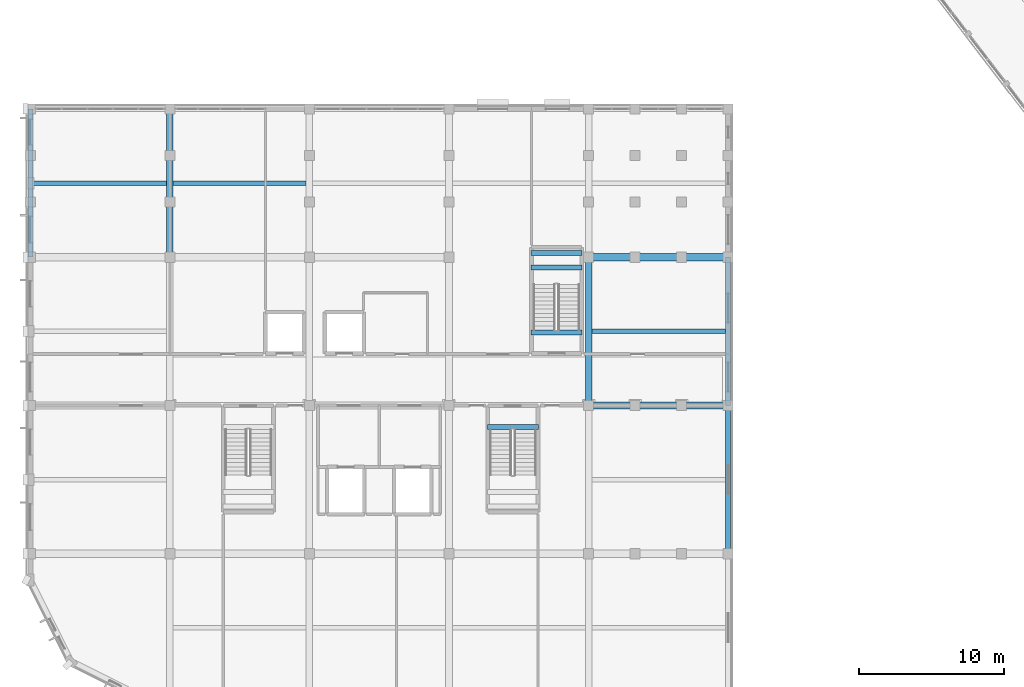
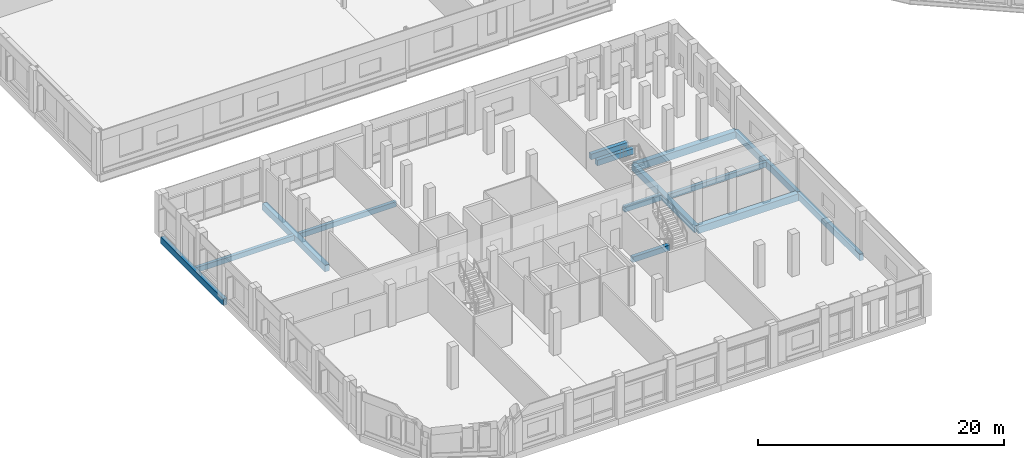
# One storey, part 29 of 185: 14 beams.
"""IFC4 building model written with IfcOpenShell, lengths in metres."""

from ifc_helpers import new_model, si_unit, direction, frame, origin, origin_2d, place, context, subcontext, project, spatial, rectangle, extrude, material, material_profile, profile_set, type_object, element, save


model = new_model("IFC4")

# Units and contexts
model_context = context("Model", 3, precision=1e-05, world=origin(), true_north=direction((0.0, 1.0)))
body_context = subcontext(model_context, "Body", "Model", "MODEL_VIEW")
ifc_project = project(units=[si_unit("LENGTHUNIT", "METRE"), si_unit("AREAUNIT", "SQUARE_METRE"), si_unit("VOLUMEUNIT", "CUBIC_METRE"), si_unit("PLANEANGLEUNIT", "RADIAN"), si_unit("MASSUNIT", "GRAM", prefix="KILO")], contexts=[model_context])

# Site, building, storey
site_placement = place(None, origin())
site = spatial("IfcSite", under=ifc_project, at=site_placement, CompositionType="ELEMENT")
building_placement = place(site_placement, origin())
building = spatial("IfcBuilding", under=site, at=building_placement, Name="Vondelvale Polytechnic", CompositionType="ELEMENT")
storey_placement = place(building_placement, frame((0.0, 0.0, 9.60009765625)))
storey = spatial("IfcBuildingStorey", under=building, at=storey_placement, Name="L02", CompositionType="ELEMENT", Elevation=9.60009765625)

# Beams
ifc_material_1 = material(Name="Concrete N40 (f'c = 40 MPa)", Category="concrete")
ifc_material_profile_1 = material_profile(ifc_material_1, rectangle(XDim=0.35009765625, YDim=0.550048828125, at=origin_2d()), Name="RC-BM-350x550")
ifc_profile_set_1 = profile_set([ifc_material_profile_1], Name="Concrete N40 (f'c = 40 MPa)")
beam_type_1 = type_object("IfcBeamType", Name="BM-RC350x550", PredefinedType="BEAM", material=ifc_profile_set_1)
for number, where, z_axis, x_axis, name in (
    (1, (31.449951171875, 18.925048828125, -0.275146484375), (1.0, 0.0, 0.0), (0.0, 1.0, 0.0), "L02 STHD B-06"),
    (2, (37.949951171875, 29.89990234375, 1.625), (-1.0, 0.0, 0.0), (0.0, -1.0, 0.0), "L02 STLD B-06"),
    (3, (37.949951171875, 30.89990234375, 1.625), (-1.0, 0.0, 0.0), (0.0, -1.0, 0.0), "L02 STLD B-06"),
    (4, (37.949951171875, 25.425048828125, -0.275146484375), (-1.0, 0.0, 0.0), (0.0, -1.0, 0.0), "L02 STHD B-06"),
):
    element("IfcBeam", number, at=place(storey_placement, frame(where, z_axis=z_axis, x_axis=x_axis)), inside=storey, type_object=beam_type_1, Name=name, PredefinedType="BEAM", context=body_context, shape_type="SweptSolid", body=[
        extrude(rectangle(XDim=0.35009765625, YDim=0.550048828125, at=origin_2d()), origin(), (0.0, 0.0, 1.0), 3.5),
    ])
ifc_material_profile_2 = material_profile(ifc_material_1, rectangle(XDim=0.449951171875, YDim=0.64990234375, at=origin_2d()), Name="RC-BM-450x650")
ifc_profile_set_2 = profile_set([ifc_material_profile_2], Name="Concrete N40 (f'c = 40 MPa)")
beam_type_2 = type_object("IfcBeamType", Name="BM-RC450x650", PredefinedType="BEAM", material=ifc_profile_set_2)
beam_1_placement = place(storey_placement, frame((9.60009765625, 30.60009765625, -0.60498046875), z_axis=(0.0, 1.0, 0.0), x_axis=(-1.0, 0.0, 0.0)))
element("IfcBeam", 5, at=beam_1_placement, inside=storey, type_object=beam_type_2, Name="L02 B B-04", PredefinedType="BEAM", context=body_context, shape_type="SweptSolid", body=[
    extrude(rectangle(XDim=0.449951171875, YDim=0.64990234375, at=origin_2d()), origin(), (0.0, 0.0, 1.0), 10.199951171875),
])
beam_2_placement = place(storey_placement, frame((38.39990234375, 20.39990234375, -0.60498046875), z_axis=(0.0, 1.0, 0.0), x_axis=(-1.0, 0.0, 0.0)))
element("IfcBeam", 6, at=beam_2_placement, inside=storey, type_object=beam_type_2, Name="L02 B B-04", PredefinedType="BEAM", context=body_context, shape_type="SweptSolid", body=[
    extrude(rectangle(XDim=0.449951171875, YDim=0.64990234375, at=origin_2d()), origin(), (0.0, 0.0, 1.0), 10.2001953125),
])
ifc_material_profile_3 = material_profile(ifc_material_1, rectangle(XDim=0.5, YDim=0.699951171875, at=origin_2d()), Name="RC-BM-500x700")
ifc_profile_set_3 = profile_set([ifc_material_profile_3], Name="Concrete N40 (f'c = 40 MPa)")
beam_type_3 = type_object("IfcBeamType", Name="BM-RC500x700", PredefinedType="BEAM", material=ifc_profile_set_3)
for number, where, z_axis, x_axis, name in (
    (7, (38.39990234375, 20.39990234375, -0.630126953125), (1.0, 0.0, 0.0), (0.0, 1.0, 0.0), "L02 B B-03"),
    (8, (38.39990234375, 30.60009765625, -0.630126953125), (1.0, 0.0, 0.0), (0.0, 1.0, 0.0), "L02 B B-03"),
):
    element("IfcBeam", number, at=place(storey_placement, frame(where, z_axis=z_axis, x_axis=x_axis)), inside=storey, type_object=beam_type_3, Name=name, PredefinedType="BEAM", context=body_context, shape_type="SweptSolid", body=[
        extrude(rectangle(XDim=0.5, YDim=0.699951171875, at=origin_2d()), origin(), (0.0, 0.0, 1.0), 9.60009765625),
    ])
ifc_material_profile_4 = material_profile(ifc_material_1, rectangle(XDim=0.300048828125, YDim=0.5, at=origin_2d()), Name="RC-JST-300x500")
ifc_profile_set_4 = profile_set([ifc_material_profile_4], Name="Concrete N40 (f'c = 40 MPa)")
beam_type_4 = type_object("IfcBeamType", Name="JST-RC300x500", PredefinedType="JOIST", material=ifc_profile_set_4)
for number, where, z_axis, x_axis, name in (
    (9, (38.625, 25.5, -0.530029296875), (1.0, 0.0, 0.0), (0.0, 1.0, 0.0), "L02 J J-02"),
    (10, (0.175048828125, 35.699951171875, -0.530029296875), (1.0, 0.0, 0.0), (0.0, 1.0, 0.0), "L02 J J-02"),
):
    element("IfcBeam", number, at=place(storey_placement, frame(where, z_axis=z_axis, x_axis=x_axis)), inside=storey, type_object=beam_type_4, Name=name, PredefinedType="JOIST", context=body_context, shape_type="SweptSolid", body=[
        extrude(rectangle(XDim=0.300048828125, YDim=0.5, at=origin_2d()), origin(), (0.0, 0.0, 1.0), 9.199951171875),
    ])
beam_3_placement = place(storey_placement, frame((9.824951171875, 35.699951171875, -0.530029296875), z_axis=(1.0, 0.0, 0.0), x_axis=(0.0, 1.0, 0.0)))
element("IfcBeam", 11, at=beam_3_placement, inside=storey, type_object=beam_type_4, Name="L02 J J-02", PredefinedType="JOIST", context=body_context, shape_type="SweptSolid", body=[
    extrude(rectangle(XDim=0.300048828125, YDim=0.5, at=origin_2d()), origin(), (0.0, 0.0, 1.0), 9.150146484375),
])
ifc_material_2 = material(Name="Precast concrete N40 (f'c = 40 MPa)", Category="concrete")
ifc_material_profile_5 = material_profile(ifc_material_2, rectangle(XDim=0.35009765625, YDim=0.64990234375, at=origin_2d()), Name="RC-SPN-350x650")
ifc_profile_set_5 = profile_set([ifc_material_profile_5], Name="Precast concrete N40 (f'c = 40 MPa)")
beam_type_5 = type_object("IfcBeamType", Name="SPN-PRE350x650", PredefinedType="SPANDREL", material=ifc_profile_set_5)
for number, where, z_axis, x_axis, name in (
    (12, (0.0, 30.60009765625, -0.60498046875), (0.0, 1.0, 0.0), (-1.0, 0.0, 0.0), "L02 B SP-02"),
    (13, (48.0, 10.199951171875, -0.60498046875), (0.0, 1.0, 0.0), (-1.0, 0.0, 0.0), "L02 B SP-02"),
):
    element("IfcBeam", number, at=place(storey_placement, frame(where, z_axis=z_axis, x_axis=x_axis)), inside=storey, type_object=beam_type_5, Name=name, PredefinedType="SPANDREL", context=body_context, shape_type="SweptSolid", body=[
        extrude(rectangle(XDim=0.35009765625, YDim=0.64990234375, at=origin_2d()), origin(), (0.0, 0.0, 1.0), 10.199951171875),
    ])
beam_4_placement = place(storey_placement, frame((48.0, 20.39990234375, -0.60498046875), z_axis=(0.0, 1.0, 0.0), x_axis=(-1.0, 0.0, 0.0)))
element("IfcBeam", 14, at=beam_4_placement, inside=storey, type_object=beam_type_5, Name="L02 B SP-02", PredefinedType="SPANDREL", context=body_context, shape_type="SweptSolid", body=[
    extrude(rectangle(XDim=0.35009765625, YDim=0.64990234375, at=origin_2d()), origin(), (0.0, 0.0, 1.0), 10.2001953125),
])

save(model, "model.ifc")
